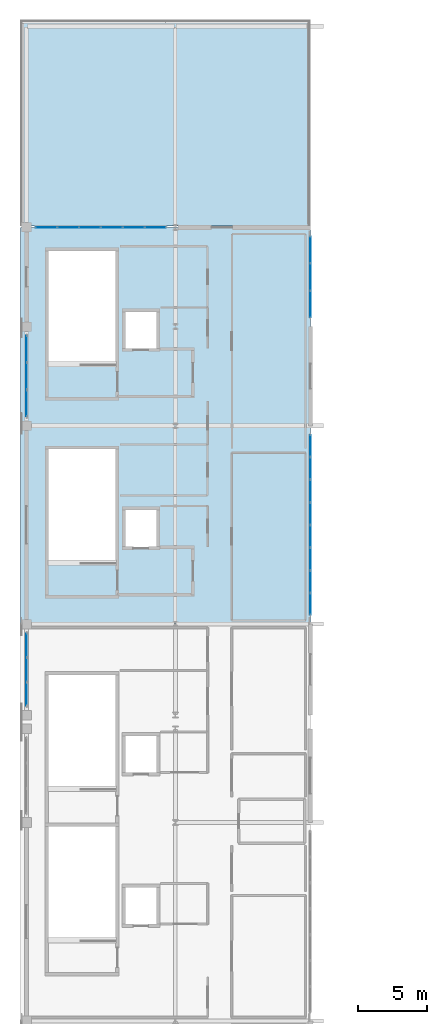
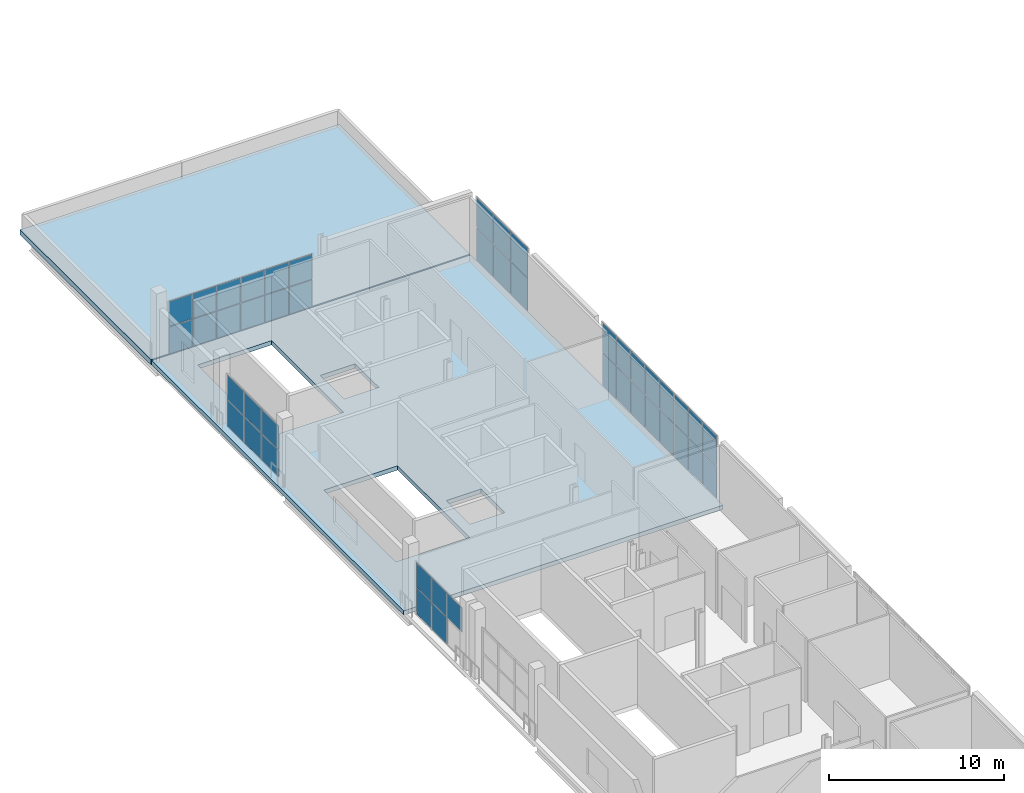
# One storey, part 10 of 19: 45 plates, 2 slabs, 5 elements without a shape of their own.
"""IFC4 building model written with IfcOpenShell, lengths in metres."""

from ifc_helpers import new_model, si_unit, direction, frame, origin, origin_2d, place, context, subcontext, project, spatial, polyline, rectangle, outline, extrude, material, layer, layer_set, type_object, element, aggregate, save


model = new_model("IFC4")

# Units and contexts
model_context = context("Model", 3, precision=1e-05, world=origin(), true_north=direction((0.0, 1.0)))
body_context = subcontext(model_context, "Body", "Model", "MODEL_VIEW")
ifc_project = project(units=[si_unit("LENGTHUNIT", "METRE"), si_unit("AREAUNIT", "SQUARE_METRE"), si_unit("VOLUMEUNIT", "CUBIC_METRE"), si_unit("PLANEANGLEUNIT", "RADIAN"), si_unit("MASSUNIT", "GRAM", prefix="KILO")], contexts=[model_context])

# Site, building, storey
site_placement = place(None, origin())
site = spatial("IfcSite", under=ifc_project, at=site_placement, CompositionType="ELEMENT")
building_placement = place(site_placement, origin())
building = spatial("IfcBuilding", under=site, at=building_placement, Name="Koshinbarg Plaza Stadium", CompositionType="ELEMENT")
storey_placement = place(building_placement, frame((0.0, 0.0, 29.39990234375)))
storey = spatial("IfcBuildingStorey", under=building, at=storey_placement, Name="L06", CompositionType="ELEMENT", Elevation=29.39990234375)

# Curtain wall, plates
ifc_material_1 = material(Name="Thermally broken anodised aluminium and low-E double glazing", Category="aluminium")
curtain_wall_type_1 = type_object("IfcCurtainWallType", Name="CW-SYS-11", PredefinedType="NOTDEFINED", material=ifc_material_1)
curtain_wall_1_placement = place(storey_placement, origin())
curtain_wall_1 = element("IfcCurtainWall", 1, at=curtain_wall_1_placement, inside=storey, type_object=curtain_wall_type_1, Name="L06 unitised curtain wall CW-L06-154", PredefinedType="NOTDEFINED")
ifc_material_2 = material(Name="Solar-control low-E double glazing unit", Category="glass")
ifc_layer_1 = layer(ifc_material_2, 0.028076171875)
ifc_layer_set_1 = layer_set([ifc_layer_1], Name="Solar-control low-E double glazing unit")
plate_type_1 = type_object("IfcPlateType", Name="CW-PNL-28", PredefinedType="CURTAIN_PANEL", material=ifc_layer_set_1)
plate_1_placement = place(storey_placement, frame((24.60009765625, 78.0283203125, 1.94384765625), z_axis=(0.0, 0.0, 1.0), x_axis=(0.0, 1.0, 0.0)))
plate_1 = element("IfcPlate", 2, at=plate_1_placement, type_object=plate_type_1, Name="CW11 panel 1.2", PredefinedType="CURTAIN_PANEL", context=body_context, shape_type="SweptSolid", body=[
    extrude(rectangle(XDim=1.69677734375, YDim=0.028076171875, at=origin_2d()), origin(), (0.0, 0.0, 1.0), 1.676513671875),
])
plate_2_placement = place(storey_placement, frame((24.60009765625, 79.800048828125, 0.06005859375), z_axis=(0.0, 0.0, 1.0), x_axis=(0.0, 1.0, 0.0)))
plate_2 = element("IfcPlate", 3, at=plate_2_placement, type_object=plate_type_1, Name="CW11 panel 2.1", PredefinedType="CURTAIN_PANEL", context=body_context, shape_type="SweptSolid", body=[
    extrude(rectangle(XDim=1.7265625, YDim=0.028076171875, at=origin_2d()), origin(), (0.0, 0.0, 1.0), 1.823486328125),
])
plate_3_placement = place(storey_placement, frame((24.60009765625, 79.800048828125, 1.94384765625), z_axis=(0.0, 0.0, 1.0), x_axis=(0.0, 1.0, 0.0)))
plate_3 = element("IfcPlate", 4, at=plate_3_placement, type_object=plate_type_1, Name="CW11 panel 2.2", PredefinedType="CURTAIN_PANEL", context=body_context, shape_type="SweptSolid", body=[
    extrude(rectangle(XDim=1.7265625, YDim=0.028076171875, at=origin_2d()), origin(), (0.0, 0.0, 1.0), 1.676513671875),
])
plate_4_placement = place(storey_placement, frame((24.60009765625, 81.57177734375, 0.06005859375), z_axis=(0.0, 0.0, 1.0), x_axis=(0.0, 1.0, 0.0)))
plate_4 = element("IfcPlate", 5, at=plate_4_placement, type_object=plate_type_1, Name="CW11 panel 3.1", PredefinedType="CURTAIN_PANEL", context=body_context, shape_type="SweptSolid", body=[
    extrude(rectangle(XDim=1.69677734375, YDim=0.028076171875, at=origin_2d()), origin(), (0.0, 0.0, 1.0), 1.823486328125),
])
plate_5_placement = place(storey_placement, frame((24.60009765625, 81.57177734375, 1.94384765625), z_axis=(0.0, 0.0, 1.0), x_axis=(0.0, 1.0, 0.0)))
plate_5 = element("IfcPlate", 6, at=plate_5_placement, type_object=plate_type_1, Name="CW11 panel 3.2", PredefinedType="CURTAIN_PANEL", context=body_context, shape_type="SweptSolid", body=[
    extrude(rectangle(XDim=1.69677734375, YDim=0.028076171875, at=origin_2d()), origin(), (0.0, 0.0, 1.0), 1.676513671875),
])
aggregate(curtain_wall_1, [plate_1, plate_2, plate_3, plate_4, plate_5])

curtain_wall_type_2 = type_object("IfcCurtainWallType", Name="CW-SYS-13", PredefinedType="NOTDEFINED", material=ifc_material_1)
curtain_wall_2_placement = place(storey_placement, origin())
curtain_wall_2 = element("IfcCurtainWall", 7, at=curtain_wall_2_placement, inside=storey, type_object=curtain_wall_type_2, Name="L06 unitised curtain wall CW-L06-156", PredefinedType="NOTDEFINED")
plate_6_placement = place(storey_placement, frame((26.03173828125, 111.89990234375, 0.06005859375), z_axis=(0.0, 0.0, 1.0), x_axis=(1.0, 0.0, 0.0)))
plate_6 = element("IfcPlate", 8, at=plate_6_placement, type_object=plate_type_1, Name="CW13 panel 1.1", PredefinedType="CURTAIN_PANEL", context=body_context, shape_type="SweptSolid", body=[
    extrude(rectangle(XDim=1.50341796875, YDim=0.028076171875, at=origin_2d()), origin(), (0.0, 0.0, 1.0), 1.87548828125),
])
plate_7_placement = place(storey_placement, frame((26.03173828125, 111.89990234375, 1.99560546875), z_axis=(0.0, 0.0, 1.0), x_axis=(1.0, 0.0, 0.0)))
plate_7 = element("IfcPlate", 9, at=plate_7_placement, type_object=plate_type_1, Name="CW13 panel 1.2", PredefinedType="CURTAIN_PANEL", context=body_context, shape_type="SweptSolid", body=[
    extrude(rectangle(XDim=1.50341796875, YDim=0.028076171875, at=origin_2d()), origin(), (0.0, 0.0, 1.0), 1.724365234375),
])
plate_8_placement = place(storey_placement, frame((27.610107421875, 111.89990234375, 0.06005859375), z_axis=(0.0, 0.0, 1.0), x_axis=(1.0, 0.0, 0.0)))
plate_8 = element("IfcPlate", 10, at=plate_8_placement, type_object=plate_type_1, Name="CW13 panel 2.1", PredefinedType="CURTAIN_PANEL", context=body_context, shape_type="SweptSolid", body=[
    extrude(rectangle(XDim=1.533447265625, YDim=0.028076171875, at=origin_2d()), origin(), (0.0, 0.0, 1.0), 1.87548828125),
])
plate_9_placement = place(storey_placement, frame((27.610107421875, 111.89990234375, 1.99560546875), z_axis=(0.0, 0.0, 1.0), x_axis=(1.0, 0.0, 0.0)))
plate_9 = element("IfcPlate", 11, at=plate_9_placement, type_object=plate_type_1, Name="CW13 panel 2.2", PredefinedType="CURTAIN_PANEL", context=body_context, shape_type="SweptSolid", body=[
    extrude(rectangle(XDim=1.533447265625, YDim=0.028076171875, at=origin_2d()), origin(), (0.0, 0.0, 1.0), 1.724365234375),
])
plate_10_placement = place(storey_placement, frame((29.203369140625, 111.89990234375, 0.06005859375), z_axis=(0.0, 0.0, 1.0), x_axis=(1.0, 0.0, 0.0)))
plate_10 = element("IfcPlate", 12, at=plate_10_placement, type_object=plate_type_1, Name="CW13 panel 3.1", PredefinedType="CURTAIN_PANEL", context=body_context, shape_type="SweptSolid", body=[
    extrude(rectangle(XDim=1.533447265625, YDim=0.028076171875, at=origin_2d()), origin(), (0.0, 0.0, 1.0), 1.87548828125),
])
plate_11_placement = place(storey_placement, frame((29.203369140625, 111.89990234375, 1.99560546875), z_axis=(0.0, 0.0, 1.0), x_axis=(1.0, 0.0, 0.0)))
plate_11 = element("IfcPlate", 13, at=plate_11_placement, type_object=plate_type_1, Name="CW13 panel 3.2", PredefinedType="CURTAIN_PANEL", context=body_context, shape_type="SweptSolid", body=[
    extrude(rectangle(XDim=1.533447265625, YDim=0.028076171875, at=origin_2d()), origin(), (0.0, 0.0, 1.0), 1.724365234375),
])
plate_12_placement = place(storey_placement, frame((30.796630859375, 111.89990234375, 0.06005859375), z_axis=(0.0, 0.0, 1.0), x_axis=(1.0, 0.0, 0.0)))
plate_12 = element("IfcPlate", 14, at=plate_12_placement, type_object=plate_type_1, Name="CW13 panel 4.1", PredefinedType="CURTAIN_PANEL", context=body_context, shape_type="SweptSolid", body=[
    extrude(rectangle(XDim=1.533447265625, YDim=0.028076171875, at=origin_2d()), origin(), (0.0, 0.0, 1.0), 1.87548828125),
])
plate_13_placement = place(storey_placement, frame((30.796630859375, 111.89990234375, 1.99560546875), z_axis=(0.0, 0.0, 1.0), x_axis=(1.0, 0.0, 0.0)))
plate_13 = element("IfcPlate", 15, at=plate_13_placement, type_object=plate_type_1, Name="CW13 panel 4.2", PredefinedType="CURTAIN_PANEL", context=body_context, shape_type="SweptSolid", body=[
    extrude(rectangle(XDim=1.533447265625, YDim=0.028076171875, at=origin_2d()), origin(), (0.0, 0.0, 1.0), 1.724365234375),
])
plate_14_placement = place(storey_placement, frame((32.389892578125, 111.89990234375, 0.06005859375), z_axis=(0.0, 0.0, 1.0), x_axis=(1.0, 0.0, 0.0)))
plate_14 = element("IfcPlate", 16, at=plate_14_placement, type_object=plate_type_1, Name="CW13 panel 5.1", PredefinedType="CURTAIN_PANEL", context=body_context, shape_type="SweptSolid", body=[
    extrude(rectangle(XDim=1.533447265625, YDim=0.028076171875, at=origin_2d()), origin(), (0.0, 0.0, 1.0), 1.87548828125),
])
plate_15_placement = place(storey_placement, frame((32.389892578125, 111.89990234375, 1.99560546875), z_axis=(0.0, 0.0, 1.0), x_axis=(1.0, 0.0, 0.0)))
plate_15 = element("IfcPlate", 17, at=plate_15_placement, type_object=plate_type_1, Name="CW13 panel 5.2", PredefinedType="CURTAIN_PANEL", context=body_context, shape_type="SweptSolid", body=[
    extrude(rectangle(XDim=1.533447265625, YDim=0.028076171875, at=origin_2d()), origin(), (0.0, 0.0, 1.0), 1.724365234375),
])
plate_16_placement = place(storey_placement, frame((33.96826171875, 111.89990234375, 0.06005859375), z_axis=(0.0, 0.0, 1.0), x_axis=(1.0, 0.0, 0.0)))
plate_16 = element("IfcPlate", 18, at=plate_16_placement, type_object=plate_type_1, Name="CW13 panel 6.1", PredefinedType="CURTAIN_PANEL", context=body_context, shape_type="SweptSolid", body=[
    extrude(rectangle(XDim=1.50341796875, YDim=0.028076171875, at=origin_2d()), origin(), (0.0, 0.0, 1.0), 1.87548828125),
])
plate_17_placement = place(storey_placement, frame((33.96826171875, 111.89990234375, 1.99560546875), z_axis=(0.0, 0.0, 1.0), x_axis=(1.0, 0.0, 0.0)))
plate_17 = element("IfcPlate", 19, at=plate_17_placement, type_object=plate_type_1, Name="CW13 panel 6.2", PredefinedType="CURTAIN_PANEL", context=body_context, shape_type="SweptSolid", body=[
    extrude(rectangle(XDim=1.50341796875, YDim=0.028076171875, at=origin_2d()), origin(), (0.0, 0.0, 1.0), 1.724365234375),
])
aggregate(curtain_wall_2, [plate_6, plate_7, plate_8, plate_9, plate_10, plate_11, plate_12, plate_13, plate_14, plate_15, plate_16, plate_17])

curtain_wall_type_3 = type_object("IfcCurtainWallType", Name="CW-SYS-15", PredefinedType="NOTDEFINED", material=ifc_material_1)
curtain_wall_3_placement = place(storey_placement, origin())
curtain_wall_3 = element("IfcCurtainWall", 20, at=curtain_wall_3_placement, inside=storey, type_object=curtain_wall_type_3, Name="L06 unitised curtain wall CW-L06-158", PredefinedType="NOTDEFINED")
plate_18_placement = place(storey_placement, frame((45.199951171875, 96.04248046875, 0.06005859375), z_axis=(0.0, 0.0, 1.0), x_axis=(0.0, -1.0, 0.0)))
plate_18 = element("IfcPlate", 21, at=plate_18_placement, type_object=plate_type_1, Name="CW15 panel 1.1", PredefinedType="CURTAIN_PANEL", context=body_context, shape_type="SweptSolid", body=[
    extrude(rectangle(XDim=1.554931640625, YDim=0.028076171875, at=origin_2d()), origin(), (0.0, 0.0, 1.0), 2.239501953125),
])
plate_19_placement = place(storey_placement, frame((45.199951171875, 96.04248046875, 2.35986328125), z_axis=(0.0, 0.0, 1.0), x_axis=(0.0, -1.0, 0.0)))
plate_19 = element("IfcPlate", 22, at=plate_19_placement, type_object=plate_type_1, Name="CW15 panel 1.2", PredefinedType="CURTAIN_PANEL", context=body_context, shape_type="SweptSolid", body=[
    extrude(rectangle(XDim=1.554931640625, YDim=0.028076171875, at=origin_2d()), origin(), (0.0, 0.0, 1.0), 2.060302734375),
])
plate_20_placement = place(storey_placement, frame((45.199951171875, 94.41259765625, 0.06005859375), z_axis=(0.0, 0.0, 1.0), x_axis=(0.0, -1.0, 0.0)))
plate_20 = element("IfcPlate", 23, at=plate_20_placement, type_object=plate_type_1, Name="CW15 panel 2.1", PredefinedType="CURTAIN_PANEL", context=body_context, shape_type="SweptSolid", body=[
    extrude(rectangle(XDim=1.5849609375, YDim=0.028076171875, at=origin_2d()), origin(), (0.0, 0.0, 1.0), 2.239501953125),
])
plate_21_placement = place(storey_placement, frame((45.199951171875, 94.41259765625, 2.35986328125), z_axis=(0.0, 0.0, 1.0), x_axis=(0.0, -1.0, 0.0)))
plate_21 = element("IfcPlate", 24, at=plate_21_placement, type_object=plate_type_1, Name="CW15 panel 2.2", PredefinedType="CURTAIN_PANEL", context=body_context, shape_type="SweptSolid", body=[
    extrude(rectangle(XDim=1.5849609375, YDim=0.028076171875, at=origin_2d()), origin(), (0.0, 0.0, 1.0), 2.060302734375),
])
plate_22_placement = place(storey_placement, frame((45.199951171875, 92.767578125, 0.06005859375), z_axis=(0.0, 0.0, 1.0), x_axis=(0.0, -1.0, 0.0)))
plate_22 = element("IfcPlate", 25, at=plate_22_placement, type_object=plate_type_1, Name="CW15 panel 3.1", PredefinedType="CURTAIN_PANEL", context=body_context, shape_type="SweptSolid", body=[
    extrude(rectangle(XDim=1.5849609375, YDim=0.028076171875, at=origin_2d()), origin(), (0.0, 0.0, 1.0), 2.239501953125),
])
plate_23_placement = place(storey_placement, frame((45.199951171875, 92.767578125, 2.35986328125), z_axis=(0.0, 0.0, 1.0), x_axis=(0.0, -1.0, 0.0)))
plate_23 = element("IfcPlate", 26, at=plate_23_placement, type_object=plate_type_1, Name="CW15 panel 3.2", PredefinedType="CURTAIN_PANEL", context=body_context, shape_type="SweptSolid", body=[
    extrude(rectangle(XDim=1.5849609375, YDim=0.028076171875, at=origin_2d()), origin(), (0.0, 0.0, 1.0), 2.060302734375),
])
plate_24_placement = place(storey_placement, frame((45.199951171875, 91.12255859375, 0.06005859375), z_axis=(0.0, 0.0, 1.0), x_axis=(0.0, -1.0, 0.0)))
plate_24 = element("IfcPlate", 27, at=plate_24_placement, type_object=plate_type_1, Name="CW15 panel 4.1", PredefinedType="CURTAIN_PANEL", context=body_context, shape_type="SweptSolid", body=[
    extrude(rectangle(XDim=1.5849609375, YDim=0.028076171875, at=origin_2d()), origin(), (0.0, 0.0, 1.0), 2.239501953125),
])
plate_25_placement = place(storey_placement, frame((45.199951171875, 91.12255859375, 2.35986328125), z_axis=(0.0, 0.0, 1.0), x_axis=(0.0, -1.0, 0.0)))
plate_25 = element("IfcPlate", 28, at=plate_25_placement, type_object=plate_type_1, Name="CW15 panel 4.2", PredefinedType="CURTAIN_PANEL", context=body_context, shape_type="SweptSolid", body=[
    extrude(rectangle(XDim=1.5849609375, YDim=0.028076171875, at=origin_2d()), origin(), (0.0, 0.0, 1.0), 2.060302734375),
])
plate_26_placement = place(storey_placement, frame((45.199951171875, 89.4775390625, 0.06005859375), z_axis=(0.0, 0.0, 1.0), x_axis=(0.0, -1.0, 0.0)))
plate_26 = element("IfcPlate", 29, at=plate_26_placement, type_object=plate_type_1, Name="CW15 panel 5.1", PredefinedType="CURTAIN_PANEL", context=body_context, shape_type="SweptSolid", body=[
    extrude(rectangle(XDim=1.5849609375, YDim=0.028076171875, at=origin_2d()), origin(), (0.0, 0.0, 1.0), 2.239501953125),
])
plate_27_placement = place(storey_placement, frame((45.199951171875, 89.4775390625, 2.35986328125), z_axis=(0.0, 0.0, 1.0), x_axis=(0.0, -1.0, 0.0)))
plate_27 = element("IfcPlate", 30, at=plate_27_placement, type_object=plate_type_1, Name="CW15 panel 5.2", PredefinedType="CURTAIN_PANEL", context=body_context, shape_type="SweptSolid", body=[
    extrude(rectangle(XDim=1.5849609375, YDim=0.028076171875, at=origin_2d()), origin(), (0.0, 0.0, 1.0), 2.060302734375),
])
plate_28_placement = place(storey_placement, frame((45.199951171875, 87.83251953125, 0.06005859375), z_axis=(0.0, 0.0, 1.0), x_axis=(0.0, -1.0, 0.0)))
plate_28 = element("IfcPlate", 31, at=plate_28_placement, type_object=plate_type_1, Name="CW15 panel 6.1", PredefinedType="CURTAIN_PANEL", context=body_context, shape_type="SweptSolid", body=[
    extrude(rectangle(XDim=1.5849609375, YDim=0.028076171875, at=origin_2d()), origin(), (0.0, 0.0, 1.0), 2.239501953125),
])
plate_29_placement = place(storey_placement, frame((45.199951171875, 87.83251953125, 2.35986328125), z_axis=(0.0, 0.0, 1.0), x_axis=(0.0, -1.0, 0.0)))
plate_29 = element("IfcPlate", 32, at=plate_29_placement, type_object=plate_type_1, Name="CW15 panel 6.2", PredefinedType="CURTAIN_PANEL", context=body_context, shape_type="SweptSolid", body=[
    extrude(rectangle(XDim=1.5849609375, YDim=0.028076171875, at=origin_2d()), origin(), (0.0, 0.0, 1.0), 2.060302734375),
])
plate_30_placement = place(storey_placement, frame((45.199951171875, 86.1875, 0.06005859375), z_axis=(0.0, 0.0, 1.0), x_axis=(0.0, -1.0, 0.0)))
plate_30 = element("IfcPlate", 33, at=plate_30_placement, type_object=plate_type_1, Name="CW15 panel 7.1", PredefinedType="CURTAIN_PANEL", context=body_context, shape_type="SweptSolid", body=[
    extrude(rectangle(XDim=1.5849609375, YDim=0.028076171875, at=origin_2d()), origin(), (0.0, 0.0, 1.0), 2.239501953125),
])
plate_31_placement = place(storey_placement, frame((45.199951171875, 86.1875, 2.35986328125), z_axis=(0.0, 0.0, 1.0), x_axis=(0.0, -1.0, 0.0)))
plate_31 = element("IfcPlate", 34, at=plate_31_placement, type_object=plate_type_1, Name="CW15 panel 7.2", PredefinedType="CURTAIN_PANEL", context=body_context, shape_type="SweptSolid", body=[
    extrude(rectangle(XDim=1.5849609375, YDim=0.028076171875, at=origin_2d()), origin(), (0.0, 0.0, 1.0), 2.060302734375),
])
plate_32_placement = place(storey_placement, frame((45.199951171875, 84.5576171875, 0.06005859375), z_axis=(0.0, 0.0, 1.0), x_axis=(0.0, -1.0, 0.0)))
plate_32 = element("IfcPlate", 35, at=plate_32_placement, type_object=plate_type_1, Name="CW15 panel 8.1", PredefinedType="CURTAIN_PANEL", context=body_context, shape_type="SweptSolid", body=[
    extrude(rectangle(XDim=1.554931640625, YDim=0.028076171875, at=origin_2d()), origin(), (0.0, 0.0, 1.0), 2.239501953125),
])
plate_33_placement = place(storey_placement, frame((45.199951171875, 84.5576171875, 2.35986328125), z_axis=(0.0, 0.0, 1.0), x_axis=(0.0, -1.0, 0.0)))
plate_33 = element("IfcPlate", 36, at=plate_33_placement, type_object=plate_type_1, Name="CW15 panel 8.2", PredefinedType="CURTAIN_PANEL", context=body_context, shape_type="SweptSolid", body=[
    extrude(rectangle(XDim=1.554931640625, YDim=0.028076171875, at=origin_2d()), origin(), (0.0, 0.0, 1.0), 2.060302734375),
])
aggregate(curtain_wall_3, [plate_18, plate_19, plate_20, plate_21, plate_22, plate_23, plate_24, plate_25, plate_26, plate_27, plate_28, plate_29, plate_30, plate_31, plate_32, plate_33])

curtain_wall_type_4 = type_object("IfcCurtainWallType", Name="CW-SYS-12", PredefinedType="NOTDEFINED", material=ifc_material_1)
curtain_wall_4_placement = place(storey_placement, origin())
curtain_wall_4 = element("IfcCurtainWall", 37, at=curtain_wall_4_placement, inside=storey, type_object=curtain_wall_type_4, Name="L06 unitised curtain wall CW-L06-155", PredefinedType="NOTDEFINED")
ifc_material_3 = material(Name="Acoustic solar-control double glazing unit", Category="glass")
ifc_layer_2 = layer(ifc_material_3, 0.031982421875)
ifc_layer_set_2 = layer_set([ifc_layer_2], Name="Acoustic solar-control double glazing unit")
plate_type_2 = type_object("IfcPlateType", Name="CW-PNL-32", PredefinedType="CURTAIN_PANEL", material=ifc_layer_set_2)
plate_34_placement = place(storey_placement, frame((24.60009765625, 99.12841796875, 0.06005859375), z_axis=(0.0, 0.0, 1.0), x_axis=(0.0, 1.0, 0.0)))
plate_34 = element("IfcPlate", 38, at=plate_34_placement, type_object=plate_type_2, Name="CW12 panel 1.1", PredefinedType="CURTAIN_PANEL", context=body_context, shape_type="SweptSolid", body=[
    extrude(rectangle(XDim=1.896728515625, YDim=0.031982421875, at=origin_2d()), origin(), (0.0, 0.0, 1.0), 1.823486328125),
])
plate_35_placement = place(storey_placement, frame((24.60009765625, 99.12841796875, 1.94384765625), z_axis=(0.0, 0.0, 1.0), x_axis=(0.0, 1.0, 0.0)))
plate_35 = element("IfcPlate", 39, at=plate_35_placement, type_object=plate_type_2, Name="CW12 panel 1.2", PredefinedType="CURTAIN_PANEL", context=body_context, shape_type="SweptSolid", body=[
    extrude(rectangle(XDim=1.896728515625, YDim=0.031982421875, at=origin_2d()), origin(), (0.0, 0.0, 1.0), 1.676513671875),
])
plate_36_placement = place(storey_placement, frame((24.60009765625, 101.10009765625, 0.06005859375), z_axis=(0.0, 0.0, 1.0), x_axis=(0.0, 1.0, 0.0)))
plate_36 = element("IfcPlate", 40, at=plate_36_placement, type_object=plate_type_2, Name="CW12 panel 2.1", PredefinedType="CURTAIN_PANEL", context=body_context, shape_type="SweptSolid", body=[
    extrude(rectangle(XDim=1.9267578125, YDim=0.031982421875, at=origin_2d()), origin(), (0.0, 0.0, 1.0), 1.823486328125),
])
plate_37_placement = place(storey_placement, frame((24.60009765625, 101.10009765625, 1.94384765625), z_axis=(0.0, 0.0, 1.0), x_axis=(0.0, 1.0, 0.0)))
plate_37 = element("IfcPlate", 41, at=plate_37_placement, type_object=plate_type_2, Name="CW12 panel 2.2", PredefinedType="CURTAIN_PANEL", context=body_context, shape_type="SweptSolid", body=[
    extrude(rectangle(XDim=1.9267578125, YDim=0.031982421875, at=origin_2d()), origin(), (0.0, 0.0, 1.0), 1.676513671875),
])
plate_38_placement = place(storey_placement, frame((24.60009765625, 103.07177734375, 0.06005859375), z_axis=(0.0, 0.0, 1.0), x_axis=(0.0, 1.0, 0.0)))
plate_38 = element("IfcPlate", 42, at=plate_38_placement, type_object=plate_type_2, Name="CW12 panel 3.1", PredefinedType="CURTAIN_PANEL", context=body_context, shape_type="SweptSolid", body=[
    extrude(rectangle(XDim=1.896728515625, YDim=0.031982421875, at=origin_2d()), origin(), (0.0, 0.0, 1.0), 1.823486328125),
])
plate_39_placement = place(storey_placement, frame((24.60009765625, 103.07177734375, 1.94384765625), z_axis=(0.0, 0.0, 1.0), x_axis=(0.0, 1.0, 0.0)))
plate_39 = element("IfcPlate", 43, at=plate_39_placement, type_object=plate_type_2, Name="CW12 panel 3.2", PredefinedType="CURTAIN_PANEL", context=body_context, shape_type="SweptSolid", body=[
    extrude(rectangle(XDim=1.896728515625, YDim=0.031982421875, at=origin_2d()), origin(), (0.0, 0.0, 1.0), 1.676513671875),
])
aggregate(curtain_wall_4, [plate_34, plate_35, plate_36, plate_37, plate_38, plate_39])

curtain_wall_type_5 = type_object("IfcCurtainWallType", Name="CW-SYS-14", PredefinedType="NOTDEFINED", material=ifc_material_1)
curtain_wall_5_placement = place(storey_placement, origin())
curtain_wall_5 = element("IfcCurtainWall", 44, at=curtain_wall_5_placement, inside=storey, type_object=curtain_wall_type_5, Name="L06 unitised curtain wall CW-L06-157", PredefinedType="NOTDEFINED")
plate_40_placement = place(storey_placement, frame((45.199951171875, 110.271728515625, 0.06005859375), z_axis=(0.0, 0.0, 1.0), x_axis=(0.0, -1.0, 0.0)))
plate_40 = element("IfcPlate", 45, at=plate_40_placement, type_object=plate_type_2, Name="CW14 panel 1.1", PredefinedType="CURTAIN_PANEL", context=body_context, shape_type="SweptSolid", body=[
    extrude(rectangle(XDim=1.896728515625, YDim=0.031982421875, at=origin_2d()), origin(), (0.0, 0.0, 1.0), 2.239501953125),
])
plate_41_placement = place(storey_placement, frame((45.199951171875, 110.271728515625, 2.35986328125), z_axis=(0.0, 0.0, 1.0), x_axis=(0.0, -1.0, 0.0)))
plate_41 = element("IfcPlate", 46, at=plate_41_placement, type_object=plate_type_2, Name="CW14 panel 1.2", PredefinedType="CURTAIN_PANEL", context=body_context, shape_type="SweptSolid", body=[
    extrude(rectangle(XDim=1.896728515625, YDim=0.031982421875, at=origin_2d()), origin(), (0.0, 0.0, 1.0), 2.060302734375),
])
plate_42_placement = place(storey_placement, frame((45.199951171875, 108.300048828125, 0.06005859375), z_axis=(0.0, 0.0, 1.0), x_axis=(0.0, -1.0, 0.0)))
plate_42 = element("IfcPlate", 47, at=plate_42_placement, type_object=plate_type_2, Name="CW14 panel 2.1", PredefinedType="CURTAIN_PANEL", context=body_context, shape_type="SweptSolid", body=[
    extrude(rectangle(XDim=1.9267578125, YDim=0.031982421875, at=origin_2d()), origin(), (0.0, 0.0, 1.0), 2.239501953125),
])
plate_43_placement = place(storey_placement, frame((45.199951171875, 108.300048828125, 2.35986328125), z_axis=(0.0, 0.0, 1.0), x_axis=(0.0, -1.0, 0.0)))
plate_43 = element("IfcPlate", 48, at=plate_43_placement, type_object=plate_type_2, Name="CW14 panel 2.2", PredefinedType="CURTAIN_PANEL", context=body_context, shape_type="SweptSolid", body=[
    extrude(rectangle(XDim=1.9267578125, YDim=0.031982421875, at=origin_2d()), origin(), (0.0, 0.0, 1.0), 2.060302734375),
])
plate_44_placement = place(storey_placement, frame((45.199951171875, 106.328369140625, 0.06005859375), z_axis=(0.0, 0.0, 1.0), x_axis=(0.0, -1.0, 0.0)))
plate_44 = element("IfcPlate", 49, at=plate_44_placement, type_object=plate_type_2, Name="CW14 panel 3.1", PredefinedType="CURTAIN_PANEL", context=body_context, shape_type="SweptSolid", body=[
    extrude(rectangle(XDim=1.896728515625, YDim=0.031982421875, at=origin_2d()), origin(), (0.0, 0.0, 1.0), 2.239501953125),
])
plate_45_placement = place(storey_placement, frame((45.199951171875, 106.328369140625, 2.35986328125), z_axis=(0.0, 0.0, 1.0), x_axis=(0.0, -1.0, 0.0)))
plate_45 = element("IfcPlate", 50, at=plate_45_placement, type_object=plate_type_2, Name="CW14 panel 3.2", PredefinedType="CURTAIN_PANEL", context=body_context, shape_type="SweptSolid", body=[
    extrude(rectangle(XDim=1.896728515625, YDim=0.031982421875, at=origin_2d()), origin(), (0.0, 0.0, 1.0), 2.060302734375),
])
aggregate(curtain_wall_5, [plate_40, plate_41, plate_42, plate_43, plate_44, plate_45])

# Slabs
ifc_material_4 = material(Name="Concrete C35/45", Category="concrete")
ifc_layer_3 = layer(ifc_material_4, 0.300048828125)
ifc_layer_set_3 = layer_set([ifc_layer_3], Name="Concrete C35/45")
slab_type_1 = type_object("IfcSlabType", Name="SL-FLR-300", PredefinedType="FLOOR", material=ifc_layer_set_3)
slab_1_placement = place(storey_placement, frame((0.0, 0.0, -0.2998046875)))
element("IfcSlab", 51, at=slab_1_placement, inside=storey, type_object=slab_type_1, Name="L06 V1 structural slab 3", PredefinedType="FLOOR", context=body_context, shape_type="SweptSolid", body=[
    extrude(outline(polyline([(24.14501953125, 83.10009765625), (45.199951171875, 83.10009765625), (45.199951171875, 111.89990234375), (24.14501953125, 111.89990234375), (24.14501953125, 83.10009765625)]), holes=[polyline([(31.070068359375, 87.56005859375), (31.070068359375, 95.800048828125), (26.199951171875, 95.800048828125), (26.199951171875, 87.56005859375), (31.070068359375, 87.56005859375)]), polyline([(31.75, 88.699951171875), (34.050048828125, 88.699951171875), (34.050048828125, 91.39990234375), (31.75, 91.39990234375), (31.75, 88.699951171875)]), polyline([(31.070068359375, 101.9599609375), (31.070068359375, 110.199951171875), (26.199951171875, 110.199951171875), (26.199951171875, 101.9599609375), (31.070068359375, 101.9599609375)]), polyline([(31.75, 103.10009765625), (34.050048828125, 103.10009765625), (34.050048828125, 105.800048828125), (31.75, 105.800048828125), (31.75, 103.10009765625)])]), origin(), (0.0, 0.0, 1.0), 0.2998046875),
])
ifc_layer_4 = layer(ifc_material_4, 0.360107421875)
ifc_layer_set_4 = layer_set([ifc_layer_4], Name="Concrete C35/45")
slab_type_2 = type_object("IfcSlabType", Name="SL-RGARDEN-360", PredefinedType="ROOF", material=ifc_layer_set_4)
slab_2_placement = place(storey_placement, frame((0.0, 0.0, -0.35986328125)))
element("IfcSlab", 52, at=slab_2_placement, inside=storey, type_object=slab_type_2, Name="planted roof garden terrace RG-L06-W", PredefinedType="ROOF", context=body_context, shape_type="SweptSolid", body=[
    extrude(outline(polyline([(24.14501953125, 111.989990234375), (45.199951171875, 111.989990234375), (45.199951171875, 126.955078125), (24.14501953125, 126.955078125), (24.14501953125, 111.989990234375)])), origin(), (0.0, 0.0, 1.0), 0.35986328125),
])

save(model, "model.ifc")
